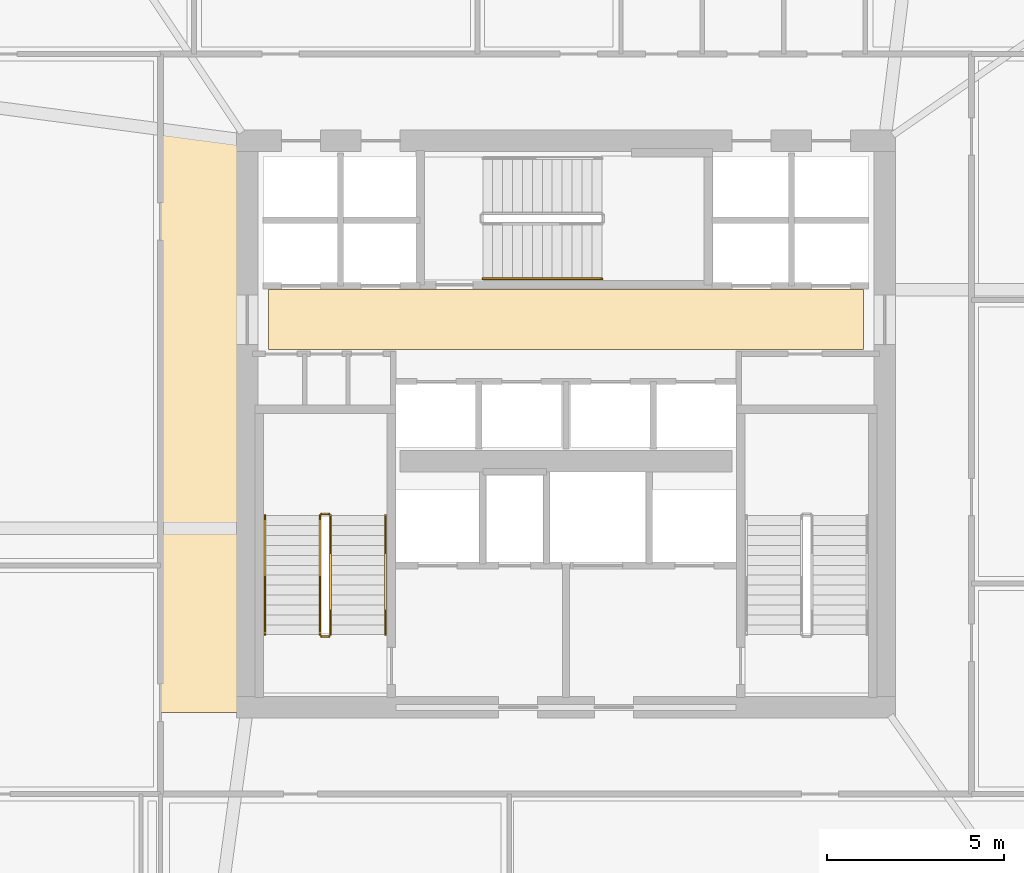
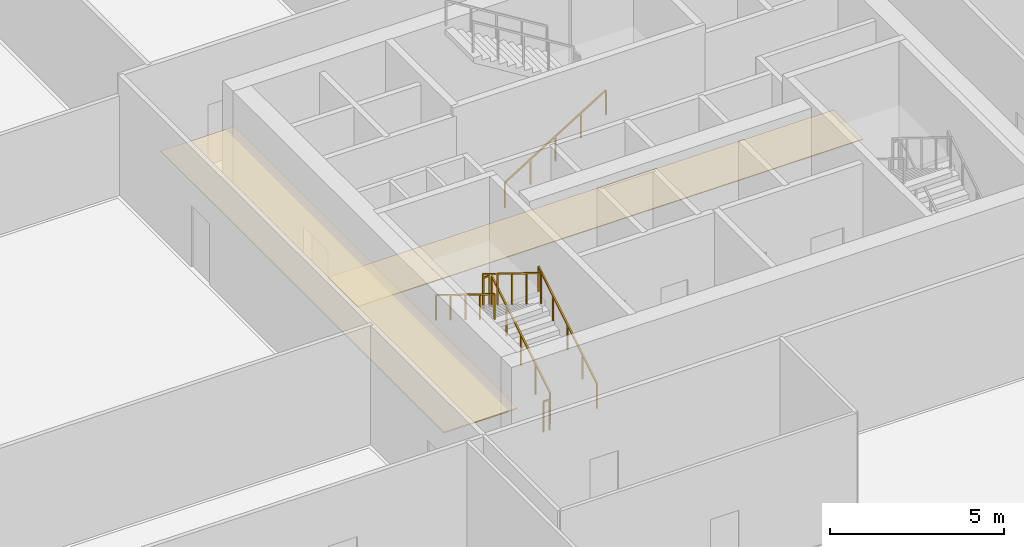
# One storey, part 25 of 29: 7 railings, 2 coverings.
"""IFC4 building model written with IfcOpenShell, lengths in metres."""

from ifc_helpers import new_model, si_unit, direction, frame, origin, origin_2d, place, context, subcontext, project, spatial, polyline, rectangle, outline, extrude, material, layer, layer_set, type_object, element, save


model = new_model("IFC4")

# Units and contexts
model_context = context("Model", 3, precision=1e-05, world=origin(), true_north=direction((0.0, 1.0)))
body_context = subcontext(model_context, "Body", "Model", "MODEL_VIEW")
ifc_project = project(units=[si_unit("LENGTHUNIT", "METRE"), si_unit("AREAUNIT", "SQUARE_METRE"), si_unit("VOLUMEUNIT", "CUBIC_METRE"), si_unit("PLANEANGLEUNIT", "RADIAN"), si_unit("MASSUNIT", "GRAM", prefix="KILO")], contexts=[model_context])

# Site, building, storey
site_placement = place(None, origin())
site = spatial("IfcSite", under=ifc_project, at=site_placement, CompositionType="ELEMENT")
building_placement = place(site_placement, origin())
building = spatial("IfcBuilding", under=site, at=building_placement, Name="Haldenkirk Collegiate Tower", CompositionType="ELEMENT")
storey_placement = place(building_placement, frame((0.0, 0.0, 28.199951171875)))
storey = spatial("IfcBuildingStorey", under=building, at=storey_placement, Name="L05", CompositionType="ELEMENT", Elevation=28.199951171875)

# Coverings
ifc_material_1 = material(Name="Suspended mineral-fibre acoustic tile", Category="concrete")
ifc_layer_1 = layer(ifc_material_1, 0.0400390625)
ifc_layer_set_1 = layer_set([ifc_layer_1], Name="Suspended mineral-fibre acoustic tile")
covering_type_1 = type_object("IfcCoveringType", Name="COV-CEIL-ACOUSTIC", PredefinedType="CEILING", material=ifc_layer_set_1)
covering_1_placement = place(storey_placement, frame((0.0, 0.0, 2.85009765625)))
element("IfcCovering", 1, at=covering_1_placement, inside=storey, type_object=covering_type_1, Name="L05 acoustic suspended ceiling CLG-L05-COR", PredefinedType="CEILING", context=body_context, shape_type="SweptSolid", body=[
    extrude(outline(polyline([(24.550048828125, 17.85009765625), (27.0, 17.85009765625), (27.0, 34.14990234375), (24.550048828125, 34.14990234375), (24.550048828125, 17.85009765625)])), origin(), (0.0, 0.0, 1.0), 0.0400390625),
])
ifc_material_2 = material(Name="Polished collegiate terrazzo", Category="concrete")
ifc_layer_2 = layer(ifc_material_2, 0.02490234375)
ifc_layer_set_2 = layer_set([ifc_layer_2], Name="Polished collegiate terrazzo")
covering_type_2 = type_object("IfcCoveringType", Name="COV-FLOOR-TERRAZZO", PredefinedType="FLOORING", material=ifc_layer_set_2)
covering_2_placement = place(storey_placement, origin())
element("IfcCovering", 2, at=covering_2_placement, inside=storey, type_object=covering_type_2, Name="L05 polished terrazzo lobby finish", PredefinedType="FLOORING", context=body_context, shape_type="SweptSolid", body=[
    extrude(outline(polyline([(27.60009765625, 28.10009765625), (44.39990234375, 28.10009765625), (44.39990234375, 29.800048828125), (27.60009765625, 29.800048828125), (27.60009765625, 28.10009765625)])), origin(), (0.0, 0.0, 1.0), 0.025146484375),
])

# Railings
ifc_material_3 = material(Name="Painted architectural tubular steel", Category="steel")
railing_type_1 = type_object("IfcRailingType", Name="RLG-STAIR-GUARD-1100", PredefinedType="BALUSTRADE", material=ifc_material_3)
railing_1_placement = place(storey_placement, frame((29.35009765625, 20.050048828125, 0.173095703125)))
element("IfcRailing", 3, at=railing_1_placement, inside=storey, type_object=railing_type_1, Name="L05 ST-1 stair guard 1", PredefinedType="BALUSTRADE", context=body_context, shape_type="SweptSolid", body=[
    extrude(rectangle(XDim=0.048095703125, YDim=0.048095703125, at=origin_2d()), frame((0.0, 0.0, 1.076171875), z_axis=(0.0, 0.850606129759, 0.525803396734), x_axis=(-1.0, 0.0, 0.0)), (0.0, 0.0, 1.0), 3.949951171875),
    extrude(rectangle(XDim=0.0419921875, YDim=0.0419921875, at=origin_2d()), origin(), (0.0, 0.0, 1.0), 1.052001953125),
    extrude(rectangle(XDim=0.0419921875, YDim=0.0419921875, at=origin_2d()), frame((0.0, 0.83984375, 0.519287109375)), (0.0, 0.0, 1.0), 1.052001953125),
    extrude(rectangle(XDim=0.0419921875, YDim=0.0419921875, at=origin_2d()), frame((0.0, 1.679931640625, 1.03857421875)), (0.0, 0.0, 1.0), 1.052001953125),
    extrude(rectangle(XDim=0.0419921875, YDim=0.0419921875, at=origin_2d()), frame((0.0, 2.52001953125, 1.5576171875)), (0.0, 0.0, 1.0), 1.052001953125),
    extrude(rectangle(XDim=0.0419921875, YDim=0.0419921875, at=origin_2d()), frame((0.0, 3.35986328125, 2.076904296875)), (0.0, 0.0, 1.0), 1.052001953125),
])
railing_2_placement = place(storey_placement, frame((29.300048828125, 23.4599609375, 2.25)))
element("IfcRailing", 4, at=railing_2_placement, inside=storey, type_object=railing_type_1, Name="L05 ST-1 stair guard 2", PredefinedType="BALUSTRADE", context=body_context, shape_type="SweptSolid", body=[
    extrude(rectangle(XDim=0.048095703125, YDim=0.048095703125, at=origin_2d()), frame((0.0, 0.0, 1.076171875), z_axis=(-1.0, 0.0, 0.0), x_axis=(0.0, -1.0, 0.0)), (0.0, 0.0, 1.0), 0.199951171875),
    extrude(rectangle(XDim=0.0419921875, YDim=0.0419921875, at=origin_2d()), origin(), (0.0, 0.0, 1.0), 1.052001953125),
    extrude(rectangle(XDim=0.0419921875, YDim=0.0419921875, at=origin_2d()), frame((-0.199951171875, 0.0, 0.0)), (0.0, 0.0, 1.0), 1.052001953125),
])
railing_3_placement = place(storey_placement, frame((29.050048828125, 23.409912109375, 2.423095703125)))
element("IfcRailing", 5, at=railing_3_placement, inside=storey, type_object=railing_type_1, Name="L05 ST-1 stair guard 3", PredefinedType="BALUSTRADE", context=body_context, shape_type="SweptSolid", body=[
    extrude(rectangle(XDim=0.048095703125, YDim=0.048095703125, at=origin_2d()), frame((0.0, 0.0, 1.076171875), z_axis=(0.0, -0.850606129759, 0.525803396734), x_axis=(1.0, 0.0, 0.0)), (0.0, 0.0, 1.0), 3.949951171875),
    extrude(rectangle(XDim=0.0419921875, YDim=0.0419921875, at=origin_2d()), origin(), (0.0, 0.0, 1.0), 1.052001953125),
    extrude(rectangle(XDim=0.0419921875, YDim=0.0419921875, at=origin_2d()), frame((0.0, -0.83984375, 0.519287109375)), (0.0, 0.0, 1.0), 1.052001953125),
    extrude(rectangle(XDim=0.0419921875, YDim=0.0419921875, at=origin_2d()), frame((0.0, -1.679931640625, 1.03857421875)), (0.0, 0.0, 1.0), 1.052001953125),
    extrude(rectangle(XDim=0.0419921875, YDim=0.0419921875, at=origin_2d()), frame((0.0, -2.52001953125, 1.5576171875)), (0.0, 0.0, 1.0), 1.052001953125),
    extrude(rectangle(XDim=0.0419921875, YDim=0.0419921875, at=origin_2d()), frame((0.0, -3.35986328125, 2.076904296875)), (0.0, 0.0, 1.0), 1.052001953125),
])
railing_4_placement = place(storey_placement, frame((29.300048828125, 20.0, 0.0)))
element("IfcRailing", 6, at=railing_4_placement, inside=storey, type_object=railing_type_1, Name="L05 ST-1 stair guard 4", PredefinedType="BALUSTRADE", context=body_context, shape_type="SweptSolid", body=[
    extrude(rectangle(XDim=0.048095703125, YDim=0.048095703125, at=origin_2d()), frame((0.0, 0.0, 1.076171875), z_axis=(-1.0, 0.0, 0.0), x_axis=(0.0, -1.0, 0.0)), (0.0, 0.0, 1.0), 0.199951171875),
    extrude(rectangle(XDim=0.0419921875, YDim=0.0419921875, at=origin_2d()), origin(), (0.0, 0.0, 1.0), 1.052001953125),
    extrude(rectangle(XDim=0.0419921875, YDim=0.0419921875, at=origin_2d()), frame((-0.199951171875, 0.0, 0.0)), (0.0, 0.0, 1.0), 1.052001953125),
])
railing_type_2 = type_object("IfcRailingType", Name="RLG-STAIR-HANDRAIL-900", PredefinedType="HANDRAIL", material=ifc_material_3)
railing_5_placement = place(storey_placement, frame((30.89990234375, 20.050048828125, 0.173095703125)))
element("IfcRailing", 7, at=railing_5_placement, inside=storey, type_object=railing_type_2, Name="L05 ST-1 stair handrail 1", PredefinedType="HANDRAIL", context=body_context, shape_type="SweptSolid", body=[
    extrude(rectangle(XDim=0.048095703125, YDim=0.048095703125, at=origin_2d()), frame((0.0, 0.0, 0.8759765625), z_axis=(0.0, 0.850606129759, 0.525803396734), x_axis=(-1.0, 0.0, 0.0)), (0.0, 0.0, 1.0), 3.949951171875),
    extrude(rectangle(XDim=0.0419921875, YDim=0.0419921875, at=origin_2d()), origin(), (0.0, 0.0, 1.0), 0.851806640625),
    extrude(rectangle(XDim=0.0419921875, YDim=0.0419921875, at=origin_2d()), frame((0.0, 0.83984375, 0.519287109375)), (0.0, 0.0, 1.0), 0.851806640625),
    extrude(rectangle(XDim=0.0419921875, YDim=0.0419921875, at=origin_2d()), frame((0.0, 1.679931640625, 1.03857421875)), (0.0, 0.0, 1.0), 0.851806640625),
    extrude(rectangle(XDim=0.0419921875, YDim=0.0419921875, at=origin_2d()), frame((0.0, 2.52001953125, 1.5576171875)), (0.0, 0.0, 1.0), 0.851806640625),
    extrude(rectangle(XDim=0.0419921875, YDim=0.0419921875, at=origin_2d()), frame((0.0, 3.35986328125, 2.076904296875)), (0.0, 0.0, 1.0), 0.851806640625),
])
railing_6_placement = place(storey_placement, frame((27.5, 23.409912109375, 2.423095703125)))
element("IfcRailing", 8, at=railing_6_placement, inside=storey, type_object=railing_type_2, Name="L05 ST-1 stair handrail 2", PredefinedType="HANDRAIL", context=body_context, shape_type="SweptSolid", body=[
    extrude(rectangle(XDim=0.048095703125, YDim=0.048095703125, at=origin_2d()), frame((0.0, 0.0, 0.8759765625), z_axis=(0.0, -0.850606129759, 0.525803396734), x_axis=(1.0, 0.0, 0.0)), (0.0, 0.0, 1.0), 3.949951171875),
    extrude(rectangle(XDim=0.0419921875, YDim=0.0419921875, at=origin_2d()), origin(), (0.0, 0.0, 1.0), 0.851806640625),
    extrude(rectangle(XDim=0.0419921875, YDim=0.0419921875, at=origin_2d()), frame((0.0, -0.83984375, 0.519287109375)), (0.0, 0.0, 1.0), 0.851806640625),
    extrude(rectangle(XDim=0.0419921875, YDim=0.0419921875, at=origin_2d()), frame((0.0, -1.679931640625, 1.03857421875)), (0.0, 0.0, 1.0), 0.851806640625),
    extrude(rectangle(XDim=0.0419921875, YDim=0.0419921875, at=origin_2d()), frame((0.0, -2.52001953125, 1.5576171875)), (0.0, 0.0, 1.0), 0.851806640625),
    extrude(rectangle(XDim=0.0419921875, YDim=0.0419921875, at=origin_2d()), frame((0.0, -3.35986328125, 2.076904296875)), (0.0, 0.0, 1.0), 0.851806640625),
])
railing_7_placement = place(storey_placement, frame((33.64990234375, 30.10009765625, 0.173095703125)))
element("IfcRailing", 9, at=railing_7_placement, inside=storey, type_object=railing_type_2, Name="L05 ST-3 stair handrail 1", PredefinedType="HANDRAIL", context=body_context, shape_type="SweptSolid", body=[
    extrude(rectangle(XDim=0.048095703125, YDim=0.048095703125, at=origin_2d()), frame((0.0, 0.0, 0.8759765625), z_axis=(0.850623216509, 0.0, 0.525775754039), x_axis=(0.0, 1.0, 0.0)), (0.0, 0.0, 1.0), 3.9501953125),
    extrude(rectangle(XDim=0.0419921875, YDim=0.0419921875, at=origin_2d()), origin(), (0.0, 0.0, 1.0), 0.851806640625),
    extrude(rectangle(XDim=0.0419921875, YDim=0.0419921875, at=origin_2d()), frame((0.840087890625, 0.0, 0.519287109375)), (0.0, 0.0, 1.0), 0.851806640625),
    extrude(rectangle(XDim=0.0419921875, YDim=0.0419921875, at=origin_2d()), frame((1.68017578125, 0.0, 1.03857421875)), (0.0, 0.0, 1.0), 0.851806640625),
    extrude(rectangle(XDim=0.0419921875, YDim=0.0419921875, at=origin_2d()), frame((2.52001953125, 0.0, 1.5576171875)), (0.0, 0.0, 1.0), 0.851806640625),
    extrude(rectangle(XDim=0.0419921875, YDim=0.0419921875, at=origin_2d()), frame((3.360107421875, 0.0, 2.076904296875)), (0.0, 0.0, 1.0), 0.851806640625),
])

save(model, "model.ifc")
